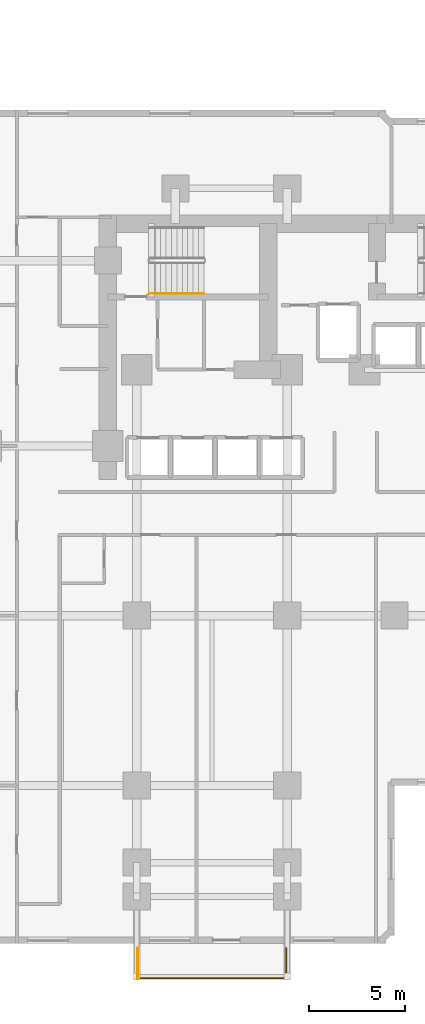
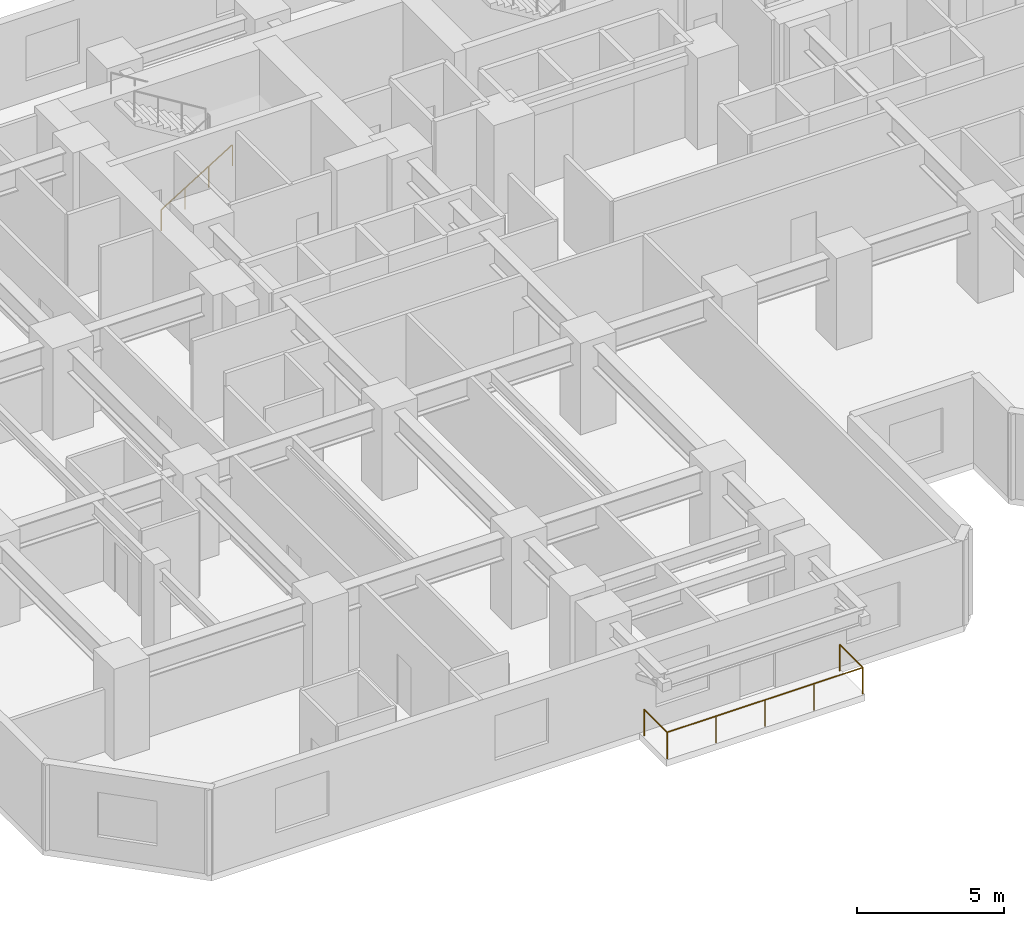
# One storey, part 10 of 11: 3 railings.
"""IFC4 building model written with IfcOpenShell, lengths in metres."""

from ifc_helpers import new_model, si_unit, direction, frame, origin, origin_2d, place, context, subcontext, project, spatial, circle, extrude, material, type_object, element, save


model = new_model("IFC4")

# Units and contexts
model_context = context("Model", 3, precision=1e-05, world=origin(), true_north=direction((0.0, 1.0)))
body_context = subcontext(model_context, "Body", "Model", "MODEL_VIEW")
ifc_project = project(units=[si_unit("LENGTHUNIT", "METRE"), si_unit("AREAUNIT", "SQUARE_METRE"), si_unit("VOLUMEUNIT", "CUBIC_METRE"), si_unit("PLANEANGLEUNIT", "RADIAN"), si_unit("MASSUNIT", "GRAM", prefix="KILO")], contexts=[model_context])

# Site, building, storey
site_placement = place(None, origin())
site = spatial("IfcSite", under=ifc_project, at=site_placement, CompositionType="ELEMENT")
building_placement = place(site_placement, origin())
building = spatial("IfcBuilding", under=site, at=building_placement, Name="Kestravale Grand Hotel", CompositionType="ELEMENT")
storey_placement = place(building_placement, frame((0.0, 0.0, 37.39990234375)))
storey = spatial("IfcBuildingStorey", under=building, at=storey_placement, Name="L08", CompositionType="ELEMENT", Elevation=37.39990234375)

# Railings
ifc_material_1 = material(Name="Champagne-bronze stainless steel and laminated glass guard", Category="steel")
railing_type_1 = type_object("IfcRailingType", Name="RL-EXT-1100", PredefinedType="GUARDRAIL", material=ifc_material_1)
railing_1_placement = place(storey_placement, frame((23.4599609375, 1.2099609375, 0.0)))
element("IfcRailing", 1, at=railing_1_placement, inside=storey, type_object=railing_type_1, Name="L08 outdoor terrace guard 1", PredefinedType="GUARDRAIL", context=body_context, shape_type="SweptSolid", body=[
    extrude(circle(Radius=0.02392578125, at=origin_2d()), frame((0.0, 0.0, 1.09619140625), z_axis=(0.0, 1.0, 0.0), x_axis=(-1.0, 0.0, 0.0)), (0.0, 0.0, 1.0), 1.570068359375),
    extrude(circle(Radius=0.02099609375, at=origin_2d()), origin(), (0.0, 0.0, 1.0), 1.072021484375),
    extrude(circle(Radius=0.02099609375, at=origin_2d()), frame((0.0, 1.570068359375, 0.0)), (0.0, 0.0, 1.0), 1.072021484375),
])
railing_2_placement = place(storey_placement, frame((31.139892578125, 2.780029296875, 0.0)))
element("IfcRailing", 2, at=railing_2_placement, inside=storey, type_object=railing_type_1, Name="L08 outdoor terrace guard 2", PredefinedType="GUARDRAIL", context=body_context, shape_type="SweptSolid", body=[
    extrude(circle(Radius=0.02392578125, at=origin_2d()), frame((0.0, 0.0, 1.09619140625), z_axis=(0.0, -1.0, 0.0), x_axis=(1.0, 0.0, 0.0)), (0.0, 0.0, 1.0), 1.570068359375),
    extrude(circle(Radius=0.02392578125, at=origin_2d()), frame((0.0, -1.570068359375, 1.09619140625), z_axis=(-1.0, 0.0, 0.0), x_axis=(0.0, -1.0, 0.0)), (0.0, 0.0, 1.0), 7.679931640625),
    extrude(circle(Radius=0.02099609375, at=origin_2d()), origin(), (0.0, 0.0, 1.0), 1.072021484375),
    extrude(circle(Radius=0.02099609375, at=origin_2d()), frame((0.0, -1.570068359375, 0.0)), (0.0, 0.0, 1.0), 1.072021484375),
    extrude(circle(Radius=0.02099609375, at=origin_2d()), frame((-1.919921875, -1.570068359375, 0.0)), (0.0, 0.0, 1.0), 1.072021484375),
    extrude(circle(Radius=0.02099609375, at=origin_2d()), frame((-3.83984375, -1.570068359375, 0.0)), (0.0, 0.0, 1.0), 1.072021484375),
    extrude(circle(Radius=0.02099609375, at=origin_2d()), frame((-5.760009765625, -1.570068359375, 0.0)), (0.0, 0.0, 1.0), 1.072021484375),
    extrude(circle(Radius=0.02099609375, at=origin_2d()), frame((-7.679931640625, -1.570068359375, 0.0)), (0.0, 0.0, 1.0), 1.072021484375),
])
ifc_material_2 = material(Name="Brushed stainless steel wall handrail", Category="steel")
railing_type_2 = type_object("IfcRailingType", Name="RL-ST-HND900", PredefinedType="HANDRAIL", material=ifc_material_2)
railing_3_placement = place(storey_placement, frame((24.080078125, 36.699951171875, 0.1728515625)))
element("IfcRailing", 3, at=railing_3_placement, inside=storey, type_object=railing_type_2, Name="L08 ST-1 stair handrail 1", PredefinedType="HANDRAIL", context=body_context, shape_type="SweptSolid", body=[
    extrude(circle(Radius=0.02392578125, at=origin_2d()), frame((0.0, 0.0, 0.8759765625), z_axis=(0.851069175582, 0.0, 0.525053576669), x_axis=(0.0, 1.0, 0.0)), (0.0, 0.0, 1.0), 3.289794921875),
    extrude(circle(Radius=0.02099609375, at=origin_2d()), origin(), (0.0, 0.0, 1.0), 0.851806640625),
    extrude(circle(Radius=0.02099609375, at=origin_2d()), frame((0.933349609375, 0.0, 0.57568359375)), (0.0, 0.0, 1.0), 0.851806640625),
    extrude(circle(Radius=0.02099609375, at=origin_2d()), frame((1.866455078125, 0.0, 1.151611328125)), (0.0, 0.0, 1.0), 0.851806640625),
    extrude(circle(Radius=0.02099609375, at=origin_2d()), frame((2.7998046875, 0.0, 1.727294921875)), (0.0, 0.0, 1.0), 0.851806640625),
])

save(model, "model.ifc")
